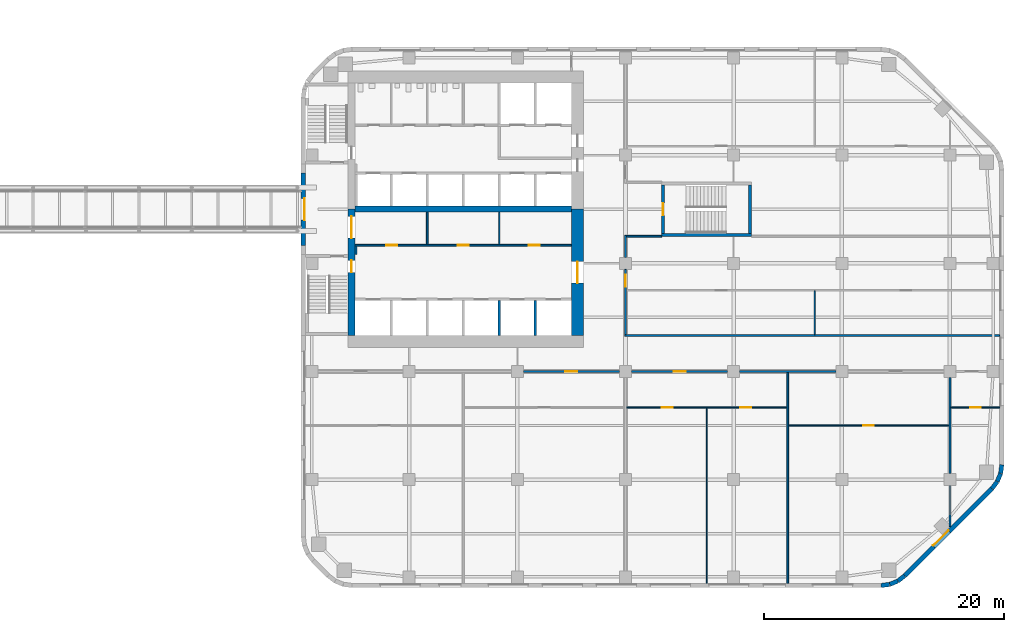
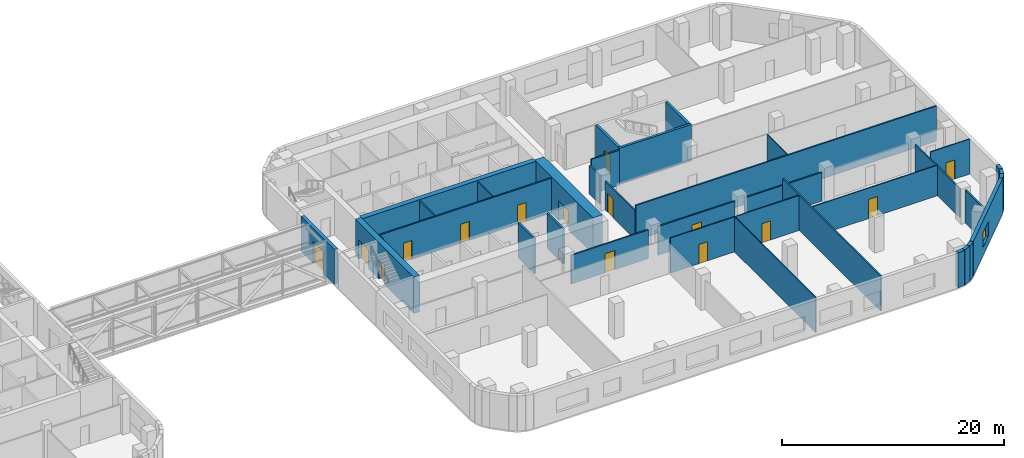
# One storey, part 18 of 24: 35 walls, 15 doors, 1 window, 16 openings.
"""IFC4 building model written with IfcOpenShell, lengths in metres."""

from ifc_helpers import new_model, si_unit, direction, frame, frame_2d, origin, place, context, subcontext, project, spatial, rectangle, extrude, material, layer, layer_set, type_object, element, fill, save


model = new_model("IFC4")

# Units and contexts
model_context = context("Model", 3, precision=1e-05, world=origin(), true_north=direction((0.0, 1.0)))
body_context = subcontext(model_context, "Body", "Model", "MODEL_VIEW")
ifc_project = project(units=[si_unit("LENGTHUNIT", "METRE"), si_unit("AREAUNIT", "SQUARE_METRE"), si_unit("VOLUMEUNIT", "CUBIC_METRE"), si_unit("PLANEANGLEUNIT", "RADIAN"), si_unit("MASSUNIT", "GRAM", prefix="KILO")], contexts=[model_context])

# Site, building, storey
site_placement = place(None, origin())
site = spatial("IfcSite", under=ifc_project, at=site_placement, CompositionType="ELEMENT")
building_placement = place(site_placement, origin())
building = spatial("IfcBuilding", under=site, at=building_placement, Name="Cinnabar Reach Civic Tower", CompositionType="ELEMENT")
storey_placement = place(building_placement, frame((0.0, 0.0, 71.0)))
storey = spatial("IfcBuildingStorey", under=building, at=storey_placement, Name="L16", CompositionType="ELEMENT", Elevation=71.0)

# Walls
ifc_material_1 = material(Name="Facing brick with insulated backing", Category="masonry")
ifc_layer_1 = layer(ifc_material_1, 0.36)
ifc_layer_set_1 = layer_set([ifc_layer_1], Name="Brick corner wall")
wall_type_1 = type_object("IfcWallType", Name="Brick corner wall", PredefinedType="STANDARD", material=ifc_layer_set_1)
for number, where, z_axis, x_axis, name in (
    (1, (48.2686, 0.183, 0.0), (0.0, 0.0, 1.0), (0.99144092581, 0.13055608231, 0.0), "Brick corner wall"),
    (2, (48.9973, 0.2819, 0.0), (0.0, 0.0, 1.0), (0.923871547278, 0.382702709855, 0.0), "Brick corner wall"),
):
    element("IfcWall", number, at=place(storey_placement, frame(where, z_axis=z_axis, x_axis=x_axis)), inside=storey, type_object=wall_type_1, Name=name, PredefinedType="STANDARD", context=body_context, shape_type="SweptSolid", body=[
        extrude(rectangle(XDim=0.7131, YDim=0.36, at=frame_2d((0.3565, 0.0))), origin(), (0.0, 0.0, 1.0), 3.85),
    ])
for number, where, z_axis, x_axis, name in (
    (3, (49.6755, 0.566, 0.0), (0.0, 0.0, 1.0), (0.793321924995, 0.608802368033, 0.0), "Brick corner wall"),
    (4, (57.4998, 8.2587, 0.0), (0.0, 0.0, 1.0), (0.608802368033, 0.793321924995, 0.0), "Brick corner wall"),
):
    element("IfcWall", number, at=place(storey_placement, frame(where, z_axis=z_axis, x_axis=x_axis)), inside=storey, type_object=wall_type_1, Name=name, PredefinedType="STANDARD", context=body_context, shape_type="SweptSolid", body=[
        extrude(rectangle(XDim=0.7132, YDim=0.36, at=frame_2d((0.3566, 0.0))), origin(), (0.0, 0.0, 1.0), 3.85),
    ])
for number, where, z_axis, x_axis, name in (
    (5, (57.9452, 8.8439, 0.0), (0.0, 0.0, 1.0), (0.382702709855, 0.923871547278, 0.0), "Brick corner wall"),
    (6, (58.2239, 9.5244, 0.0), (0.0, 0.0, 1.0), (0.13055608231, 0.99144092581, 0.0), "Brick corner wall"),
):
    element("IfcWall", number, at=place(storey_placement, frame(where, z_axis=z_axis, x_axis=x_axis)), inside=storey, type_object=wall_type_1, Name=name, PredefinedType="STANDARD", context=body_context, shape_type="SweptSolid", body=[
        extrude(rectangle(XDim=0.7131, YDim=0.36, at=frame_2d((0.3565, 0.0))), origin(), (0.0, 0.0, 1.0), 3.85),
    ])

# Wall, opening, window
ifc_layer_2 = layer(ifc_material_1, 0.36)
ifc_layer_set_2 = layer_set([ifc_layer_2], Name="Brick pier and spandrel wall")
wall_type_2 = type_object("IfcWallType", Name="Brick pier and spandrel wall", PredefinedType="STANDARD", material=ifc_layer_set_2)
wall_1_placement = place(storey_placement, frame((50.2514, 1.006, 0.0), z_axis=(0.0, 0.0, 1.0), x_axis=(0.707106781187, 0.707106781187, 0.0)))
wall_1 = element("IfcWall", 7, at=wall_1_placement, inside=storey, type_object=wall_type_2, Name="Brick facade wall", PredefinedType="STANDARD", context=body_context, shape_type="SweptSolid", body=[
    extrude(rectangle(XDim=10.2426, YDim=0.36, at=frame_2d((5.1213, 0.0))), origin(), (0.0, 0.0, 1.0), 3.85),
])
opening_1_placement = place(wall_1_placement, frame((3.4213, 0.0, 0.9)))
opening_1 = element("IfcOpeningElement", 8, at=opening_1_placement, cuts=wall_1, Name="Opening W1303", PredefinedType="OPENING", context=body_context, shape_type="SweptSolid", body=[
    extrude(rectangle(XDim=1.8, YDim=1.6, at=frame_2d((0.9, 0.8))), frame((0.0, 0.19, 0.0), z_axis=(0.0, -1.0, 0.0), x_axis=(1.0, 0.0, 0.0)), (0.0, 0.0, 1.0), 0.38),
])
ifc_material_2 = material(Name="Clear double glazing in aluminium frame", Category="aluminium")
window_type = type_object("IfcWindowType", Name="Deep-set window D", PartitioningType="SINGLE_PANEL", PredefinedType="WINDOW", material=ifc_material_2)
window_placement = place(opening_1_placement, origin())
window = element("IfcWindow", 9, at=window_placement, inside=storey, type_object=window_type, Name="Window southeast face", OverallHeight=1.6, OverallWidth=1.8, PartitioningType="SINGLE_PANEL", PredefinedType="WINDOW", context=body_context, shape_type="SweptSolid", body=[
    extrude(rectangle(XDim=1.8, YDim=1.6, at=frame_2d((0.9, 0.8))), frame((0.0, 0.13, 0.0), z_axis=(0.0, -1.0, 0.0), x_axis=(1.0, 0.0, 0.0)), (0.0, 0.0, 1.0), 0.06),
])
fill(opening_1, window)

# Wall, opening, door
wall_2_placement = place(storey_placement, frame((0.18, 34.5, 0.0), z_axis=(0.0, 0.0, 1.0), x_axis=(0.0, -1.0, 0.0)))
wall_2 = element("IfcWall", 10, at=wall_2_placement, inside=storey, type_object=wall_type_2, Name="Brick facade wall", PredefinedType="STANDARD", context=body_context, shape_type="SweptSolid", body=[
    extrude(rectangle(XDim=6.0, YDim=0.36, at=frame_2d((3.0, 0.0))), origin(), (0.0, 0.0, 1.0), 3.85),
])
opening_2_placement = place(wall_2_placement, frame((2.1, 0.0, 0.0)))
opening_2 = element("IfcOpeningElement", 11, at=opening_2_placement, cuts=wall_2, Name="Opening D7503", PredefinedType="OPENING", context=body_context, shape_type="SweptSolid", body=[
    extrude(rectangle(XDim=1.8, YDim=2.4, at=frame_2d((0.9, 1.2))), frame((0.0, 0.19, 0.0), z_axis=(0.0, -1.0, 0.0), x_axis=(1.0, 0.0, 0.0)), (0.0, 0.0, 1.0), 0.38),
])
ifc_material_3 = material(Name="Steel fire door with glazed vision panel", Category="steel")
door_type_1 = type_object("IfcDoorType", Name="Facade bridge landing fire door", OperationType="SINGLE_SWING_LEFT", PredefinedType="DOOR", material=ifc_material_3)
door_1_placement = place(opening_2_placement, frame((1.8, 0.0, 0.0), z_axis=(0.0, 0.0, 1.0), x_axis=(-1.0, 0.0, 0.0)))
door_1 = element("IfcDoor", 12, at=door_1_placement, inside=storey, type_object=door_type_1, Name="Bridge landing fire door", OperationType="DOUBLE_DOOR_SINGLE_SWING", OverallHeight=2.4, OverallWidth=1.8, PredefinedType="DOOR", context=body_context, shape_type="SweptSolid", body=[
    extrude(rectangle(XDim=1.8, YDim=2.4, at=frame_2d((0.9, 1.2))), frame((0.0, -0.07, 0.0), z_axis=(0.0, -1.0, 0.0), x_axis=(1.0, 0.0, 0.0)), (0.0, 0.0, 1.0), 0.05),
])
fill(opening_2, door_1)

ifc_material_4 = material(Name="Concrete C70", Category="concrete")
ifc_layer_3 = layer(ifc_material_4, 1.0)
ifc_layer_set_3 = layer_set([ifc_layer_3], Name="Core wall 1000 EI 180")
wall_type_3 = type_object("IfcWallType", Name="Core wall 1000 EI 180", PredefinedType="SOLIDWALL", material=ifc_layer_set_3)
wall_3_placement = place(storey_placement, frame((23.0, 21.0, 0.0), z_axis=(0.0, 0.0, 1.0), x_axis=(0.0, 1.0, 0.0)))
wall_3 = element("IfcWall", 13, at=wall_3_placement, inside=storey, type_object=wall_type_3, Name="Core wall T1 L16 E", PredefinedType="SOLIDWALL", context=body_context, shape_type="SweptSolid", body=[
    extrude(rectangle(XDim=10.5, YDim=1.0, at=frame_2d((5.25, 0.0))), origin(), (0.0, 0.0, 1.0), 4.0),
])
opening_3_placement = place(wall_3_placement, frame((4.35, 0.0, 0.0)))
opening_3 = element("IfcOpeningElement", 14, at=opening_3_placement, cuts=wall_3, Name="Opening D3648", PredefinedType="OPENING", context=body_context, shape_type="SweptSolid", body=[
    extrude(rectangle(XDim=1.8, YDim=2.1, at=frame_2d((0.9, 1.05))), frame((0.0, 0.51, 0.0), z_axis=(0.0, -1.0, 0.0), x_axis=(1.0, 0.0, 0.0)), (0.0, 0.0, 1.0), 1.02),
])
ifc_material_5 = material(Name="Timber door leaf in steel frame", Category="steel")
door_type_2 = type_object("IfcDoorType", Name="Double swing door 1800 x 2100 T1", OperationType="DOUBLE_DOOR_DOUBLE_SWING", PredefinedType="DOOR", material=ifc_material_5)
door_2_placement = place(opening_3_placement, origin())
door_2 = element("IfcDoor", 15, at=door_2_placement, inside=storey, type_object=door_type_2, Name="Door D3648", OperationType="DOUBLE_DOOR_DOUBLE_SWING", OverallHeight=2.1, OverallWidth=1.8, PredefinedType="DOOR", context=body_context, shape_type="SweptSolid", body=[
    extrude(rectangle(XDim=1.8, YDim=2.1, at=frame_2d((0.9, 1.05))), frame((0.0, 0.025, 0.0), z_axis=(0.0, -1.0, 0.0), x_axis=(1.0, 0.0, 0.0)), (0.0, 0.0, 1.0), 0.05),
])
fill(opening_3, door_2)

# Wall
ifc_material_6 = material(Name="Concrete C60", Category="concrete")
ifc_layer_4 = layer(ifc_material_6, 0.5)
ifc_layer_set_4 = layer_set([ifc_layer_4], Name="Core wall 500 EI 180")
wall_type_4 = type_object("IfcWallType", Name="Core wall 500 EI 180", PredefinedType="SOLIDWALL", material=ifc_layer_set_4)
wall_4_placement = place(storey_placement, frame((4.5, 31.5, 0.0), z_axis=(0.0, 0.0, 1.0), x_axis=(1.0, 0.0, 0.0)))
element("IfcWall", 16, at=wall_4_placement, inside=storey, type_object=wall_type_4, Name="Core spine wall T1 L16", PredefinedType="SOLIDWALL", context=body_context, shape_type="SweptSolid", body=[
    extrude(rectangle(XDim=18.0, YDim=0.5, at=frame_2d((9.0, 0.0))), origin(), (0.0, 0.0, 1.0), 4.0),
])

# Wall, openings, doors
ifc_layer_5 = layer(ifc_material_4, 0.6)
ifc_layer_set_5 = layer_set([ifc_layer_5], Name="Core wall 600 EI 180")
wall_type_5 = type_object("IfcWallType", Name="Core wall 600 EI 180", PredefinedType="SOLIDWALL", material=ifc_layer_set_5)
wall_5_placement = place(storey_placement, frame((4.2, 31.5, 0.0), z_axis=(0.0, 0.0, 1.0), x_axis=(0.0, -1.0, 0.0)))
wall_5 = element("IfcWall", 17, at=wall_5_placement, inside=storey, type_object=wall_type_5, Name="Core wall T1 L16 W2", PredefinedType="SOLIDWALL", context=body_context, shape_type="SweptSolid", body=[
    extrude(rectangle(XDim=10.5, YDim=0.6, at=frame_2d((5.25, 0.0))), origin(), (0.0, 0.0, 1.0), 4.0),
])
opening_4_placement = place(wall_5_placement, frame((4.25, 0.0, 0.0)))
opening_4 = element("IfcOpeningElement", 18, at=opening_4_placement, cuts=wall_5, Name="Opening D3630", PredefinedType="OPENING", context=body_context, shape_type="SweptSolid", body=[
    extrude(rectangle(XDim=1.0, YDim=2.1, at=frame_2d((0.5, 1.05))), frame((0.0, 0.31, 0.0), z_axis=(0.0, -1.0, 0.0), x_axis=(1.0, 0.0, 0.0)), (0.0, 0.0, 1.0), 0.62),
])
opening_5_placement = place(wall_5_placement, frame((0.6, 0.0, 0.0)))
opening_5 = element("IfcOpeningElement", 19, at=opening_5_placement, cuts=wall_5, Name="Opening D3634", PredefinedType="OPENING", context=body_context, shape_type="SweptSolid", body=[
    extrude(rectangle(XDim=1.8, YDim=2.1, at=frame_2d((0.9, 1.05))), frame((0.0, 0.31, 0.0), z_axis=(0.0, -1.0, 0.0), x_axis=(1.0, 0.0, 0.0)), (0.0, 0.0, 1.0), 0.62),
])
door_type_3 = type_object("IfcDoorType", Name="Bridge fire door 1800 x 2100 T1", OperationType="DOUBLE_DOOR_DOUBLE_SWING", PredefinedType="DOOR", material=ifc_material_5)
door_3_placement = place(opening_5_placement, frame((1.8, 0.0, 0.0), z_axis=(0.0, 0.0, 1.0), x_axis=(-1.0, 0.0, 0.0)))
door_3 = element("IfcDoor", 20, at=door_3_placement, inside=storey, type_object=door_type_3, Name="Door D3634", OperationType="DOUBLE_DOOR_DOUBLE_SWING", OverallHeight=2.1, OverallWidth=1.8, PredefinedType="DOOR", context=body_context, shape_type="SweptSolid", body=[
    extrude(rectangle(XDim=1.8, YDim=2.1, at=frame_2d((0.9, 1.05))), frame((0.0, 0.025, 0.0), z_axis=(0.0, -1.0, 0.0), x_axis=(1.0, 0.0, 0.0)), (0.0, 0.0, 1.0), 0.05),
])
fill(opening_5, door_3)
door_type_4 = type_object("IfcDoorType", Name="Stair door 1000 x 2100 T1", OperationType="SINGLE_SWING_LEFT", PredefinedType="DOOR", material=ifc_material_5)
door_4_placement = place(opening_4_placement, frame((1.0, 0.0, 0.0), z_axis=(0.0, 0.0, 1.0), x_axis=(-1.0, 0.0, 0.0)))
door_4 = element("IfcDoor", 21, at=door_4_placement, inside=storey, type_object=door_type_4, Name="Door D3630", OperationType="SINGLE_SWING_RIGHT", OverallHeight=2.1, OverallWidth=1.0, PredefinedType="DOOR", context=body_context, shape_type="SweptSolid", body=[
    extrude(rectangle(XDim=1.0, YDim=2.1, at=frame_2d((0.5, 1.05))), frame((0.0, 0.025, 0.0), z_axis=(0.0, -1.0, 0.0), x_axis=(1.0, 0.0, 0.0)), (0.0, 0.0, 1.0), 0.05),
])
fill(opening_4, door_4)

# Wall
ifc_material_7 = material(Name="Gypsum board on steel studs, double layer", Category="steel")
ifc_layer_6 = layer(ifc_material_7, 0.15)
ifc_layer_set_6 = layer_set([ifc_layer_6], Name="Corridor wall 150 T1")
wall_type_6 = type_object("IfcWallType", Name="Corridor wall 150 T1", PredefinedType="PARTITIONING", material=ifc_layer_set_6)
wall_6_placement = place(storey_placement, frame((36.5, 18.0, 0.0), z_axis=(0.0, 0.0, 1.0), x_axis=(1.0, 0.0, 0.0)))
element("IfcWall", 22, at=wall_6_placement, inside=storey, type_object=wall_type_6, Name="Corridor wall 21", PredefinedType="PARTITIONING", context=body_context, shape_type="SweptSolid", body=[
    extrude(rectangle(XDim=8.0, YDim=0.15, at=frame_2d((4.0, 0.0))), origin(), (0.0, 0.0, 1.0), 3.15),
])

# Wall, opening, door
wall_7_placement = place(storey_placement, frame((27.5, 18.0, 0.0), z_axis=(0.0, 0.0, 1.0), x_axis=(1.0, 0.0, 0.0)))
wall_7 = element("IfcWall", 23, at=wall_7_placement, inside=storey, type_object=wall_type_6, Name="Corridor wall 22", PredefinedType="PARTITIONING", context=body_context, shape_type="SweptSolid", body=[
    extrude(rectangle(XDim=8.0, YDim=0.15, at=frame_2d((4.0, 0.0))), origin(), (0.0, 0.0, 1.0), 3.15),
])
opening_6_placement = place(wall_7_placement, frame((3.5, 0.0, 0.0)))
opening_6 = element("IfcOpeningElement", 24, at=opening_6_placement, cuts=wall_7, Name="Opening D3668", PredefinedType="OPENING", context=body_context, shape_type="SweptSolid", body=[
    extrude(rectangle(XDim=1.0, YDim=2.1, at=frame_2d((0.5, 1.05))), frame((0.0, 0.085, 0.0), z_axis=(0.0, -1.0, 0.0), x_axis=(1.0, 0.0, 0.0)), (0.0, 0.0, 1.0), 0.17),
])
door_type_5 = type_object("IfcDoorType", Name="Tenancy entrance door 1000 x 2100 T1", OperationType="SINGLE_SWING_LEFT", PredefinedType="DOOR", material=ifc_material_5)
door_5_placement = place(opening_6_placement, frame((1.0, 0.0, 0.0), z_axis=(0.0, 0.0, 1.0), x_axis=(-1.0, 0.0, 0.0)))
door_5 = element("IfcDoor", 25, at=door_5_placement, inside=storey, type_object=door_type_5, Name="Door D3668", OperationType="SINGLE_SWING_RIGHT", OverallHeight=2.1, OverallWidth=1.0, PredefinedType="DOOR", context=body_context, shape_type="SweptSolid", body=[
    extrude(rectangle(XDim=1.0, YDim=2.1, at=frame_2d((0.5, 1.05))), frame((0.0, 0.025, 0.0), z_axis=(0.0, -1.0, 0.0), x_axis=(1.0, 0.0, 0.0)), (0.0, 0.0, 1.0), 0.05),
])
fill(opening_6, door_5)

wall_8_placement = place(storey_placement, frame((18.5, 18.0, 0.0), z_axis=(0.0, 0.0, 1.0), x_axis=(1.0, 0.0, 0.0)))
wall_8 = element("IfcWall", 26, at=wall_8_placement, inside=storey, type_object=wall_type_6, Name="Corridor wall 23", PredefinedType="PARTITIONING", context=body_context, shape_type="SweptSolid", body=[
    extrude(rectangle(XDim=8.0, YDim=0.15, at=frame_2d((4.0, 0.0))), origin(), (0.0, 0.0, 1.0), 3.15),
])
opening_7_placement = place(wall_8_placement, frame((3.5, 0.0, 0.0)))
opening_7 = element("IfcOpeningElement", 27, at=opening_7_placement, cuts=wall_8, Name="Opening D3666", PredefinedType="OPENING", context=body_context, shape_type="SweptSolid", body=[
    extrude(rectangle(XDim=1.0, YDim=2.1, at=frame_2d((0.5, 1.05))), frame((0.0, 0.085, 0.0), z_axis=(0.0, -1.0, 0.0), x_axis=(1.0, 0.0, 0.0)), (0.0, 0.0, 1.0), 0.17),
])
door_6_placement = place(opening_7_placement, frame((1.0, 0.0, 0.0), z_axis=(0.0, 0.0, 1.0), x_axis=(-1.0, 0.0, 0.0)))
door_6 = element("IfcDoor", 28, at=door_6_placement, inside=storey, type_object=door_type_5, Name="Door D3666", OperationType="SINGLE_SWING_RIGHT", OverallHeight=2.1, OverallWidth=1.0, PredefinedType="DOOR", context=body_context, shape_type="SweptSolid", body=[
    extrude(rectangle(XDim=1.0, YDim=2.1, at=frame_2d((0.5, 1.05))), frame((0.0, 0.025, 0.0), z_axis=(0.0, -1.0, 0.0), x_axis=(1.0, 0.0, 0.0)), (0.0, 0.0, 1.0), 0.05),
])
fill(opening_7, door_6)

# Wall
wall_9_placement = place(storey_placement, frame((26.925, 21.0, 0.0), z_axis=(0.0, 0.0, 1.0), x_axis=(1.0, 0.0, 0.0)))
element("IfcWall", 29, at=wall_9_placement, inside=storey, type_object=wall_type_6, Name="Corridor wall 26", PredefinedType="PARTITIONING", context=body_context, shape_type="SweptSolid", body=[
    extrude(rectangle(XDim=31.215, YDim=0.15, at=frame_2d((15.6075, 0.0))), origin(), (0.0, 0.0, 1.0), 3.85),
])

# Wall, openings, doors
wall_10_placement = place(storey_placement, frame((4.5, 28.5, 0.0), z_axis=(0.0, 0.0, 1.0), x_axis=(1.0, 0.0, 0.0)))
wall_10 = element("IfcWall", 30, at=wall_10_placement, inside=storey, type_object=wall_type_6, Name="Corridor wall 27", PredefinedType="PARTITIONING", context=body_context, shape_type="SweptSolid", body=[
    extrude(rectangle(XDim=18.0, YDim=0.15, at=frame_2d((9.0, 0.0))), origin(), (0.0, 0.0, 1.0), 3.85),
])
opening_8_placement = place(wall_10_placement, frame((2.6, 0.0, 0.0)))
opening_8 = element("IfcOpeningElement", 31, at=opening_8_placement, cuts=wall_10, Name="Opening D3635", PredefinedType="OPENING", context=body_context, shape_type="SweptSolid", body=[
    extrude(rectangle(XDim=0.9, YDim=2.1, at=frame_2d((0.45, 1.05))), frame((0.0, 0.085, 0.0), z_axis=(0.0, -1.0, 0.0), x_axis=(1.0, 0.0, 0.0)), (0.0, 0.0, 1.0), 0.17),
])
opening_9_placement = place(wall_10_placement, frame((8.55, 0.0, 0.0)))
opening_9 = element("IfcOpeningElement", 32, at=opening_9_placement, cuts=wall_10, Name="Opening D3652", PredefinedType="OPENING", context=body_context, shape_type="SweptSolid", body=[
    extrude(rectangle(XDim=0.9, YDim=2.1, at=frame_2d((0.45, 1.05))), frame((0.0, 0.085, 0.0), z_axis=(0.0, -1.0, 0.0), x_axis=(1.0, 0.0, 0.0)), (0.0, 0.0, 1.0), 0.17),
])
opening_10_placement = place(wall_10_placement, frame((14.45, 0.0, 0.0)))
opening_10 = element("IfcOpeningElement", 33, at=opening_10_placement, cuts=wall_10, Name="Opening D3653", PredefinedType="OPENING", context=body_context, shape_type="SweptSolid", body=[
    extrude(rectangle(XDim=0.9, YDim=2.1, at=frame_2d((0.45, 1.05))), frame((0.0, 0.085, 0.0), z_axis=(0.0, -1.0, 0.0), x_axis=(1.0, 0.0, 0.0)), (0.0, 0.0, 1.0), 0.17),
])
door_type_6 = type_object("IfcDoorType", Name="Single swing door 900 x 2100 corridor T1", OperationType="SINGLE_SWING_LEFT", PredefinedType="DOOR", material=ifc_material_5)
door_7_placement = place(opening_8_placement, frame((0.9, 0.0, 0.0), z_axis=(0.0, 0.0, 1.0), x_axis=(-1.0, 0.0, 0.0)))
door_7 = element("IfcDoor", 34, at=door_7_placement, inside=storey, type_object=door_type_6, Name="Door D3635", OperationType="SINGLE_SWING_LEFT", OverallHeight=2.1, OverallWidth=0.9, PredefinedType="DOOR", context=body_context, shape_type="SweptSolid", body=[
    extrude(rectangle(XDim=0.9, YDim=2.1, at=frame_2d((0.45, 1.05))), frame((0.0, 0.025, 0.0), z_axis=(0.0, -1.0, 0.0), x_axis=(1.0, 0.0, 0.0)), (0.0, 0.0, 1.0), 0.05),
])
fill(opening_8, door_7)
door_8_placement = place(opening_9_placement, origin())
door_8 = element("IfcDoor", 35, at=door_8_placement, inside=storey, type_object=door_type_6, Name="Door D3652", OperationType="SINGLE_SWING_RIGHT", OverallHeight=2.1, OverallWidth=0.9, PredefinedType="DOOR", context=body_context, shape_type="SweptSolid", body=[
    extrude(rectangle(XDim=0.9, YDim=2.1, at=frame_2d((0.45, 1.05))), frame((0.0, 0.025, 0.0), z_axis=(0.0, -1.0, 0.0), x_axis=(1.0, 0.0, 0.0)), (0.0, 0.0, 1.0), 0.05),
])
fill(opening_9, door_8)
door_9_placement = place(opening_10_placement, origin())
door_9 = element("IfcDoor", 36, at=door_9_placement, inside=storey, type_object=door_type_6, Name="Door D3653", OperationType="SINGLE_SWING_LEFT", OverallHeight=2.1, OverallWidth=0.9, PredefinedType="DOOR", context=body_context, shape_type="SweptSolid", body=[
    extrude(rectangle(XDim=0.9, YDim=2.1, at=frame_2d((0.45, 1.05))), frame((0.0, 0.025, 0.0), z_axis=(0.0, -1.0, 0.0), x_axis=(1.0, 0.0, 0.0)), (0.0, 0.0, 1.0), 0.05),
])
fill(opening_10, door_9)

# Wall, opening, door
wall_11_placement = place(storey_placement, frame((27.0, 21.075, 0.0), z_axis=(0.0, 0.0, 1.0), x_axis=(0.0, 1.0, 0.0)))
wall_11 = element("IfcWall", 37, at=wall_11_placement, inside=storey, type_object=wall_type_6, Name="Corridor wall 31", PredefinedType="PARTITIONING", context=body_context, shape_type="SweptSolid", body=[
    extrude(rectangle(XDim=5.425, YDim=0.15, at=frame_2d((2.7125, 0.0))), origin(), (0.0, 0.0, 1.0), 3.158),
])
opening_11_placement = place(wall_11_placement, frame((3.975, 0.0, 0.0)))
opening_11 = element("IfcOpeningElement", 38, at=opening_11_placement, cuts=wall_11, Name="Opening D3661", PredefinedType="OPENING", context=body_context, shape_type="SweptSolid", body=[
    extrude(rectangle(XDim=1.0, YDim=2.1, at=frame_2d((0.5, 1.05))), frame((0.0, 0.085, 0.0), z_axis=(0.0, -1.0, 0.0), x_axis=(1.0, 0.0, 0.0)), (0.0, 0.0, 1.0), 0.17),
])
door_10_placement = place(opening_11_placement, frame((1.0, 0.0, 0.0), z_axis=(0.0, 0.0, 1.0), x_axis=(-1.0, 0.0, 0.0)))
door_10 = element("IfcDoor", 39, at=door_10_placement, inside=storey, type_object=door_type_5, Name="Door D3661", OperationType="SINGLE_SWING_RIGHT", OverallHeight=2.1, OverallWidth=1.0, PredefinedType="DOOR", context=body_context, shape_type="SweptSolid", body=[
    extrude(rectangle(XDim=1.0, YDim=2.1, at=frame_2d((0.5, 1.05))), frame((0.0, 0.025, 0.0), z_axis=(0.0, -1.0, 0.0), x_axis=(1.0, 0.0, 0.0)), (0.0, 0.0, 1.0), 0.05),
])
fill(opening_11, door_10)

# Walls
wall_12_placement = place(storey_placement, frame((27.0, 27.5, 0.0), z_axis=(0.0, 0.0, 1.0), x_axis=(0.0, 1.0, 0.0)))
element("IfcWall", 40, at=wall_12_placement, inside=storey, type_object=wall_type_6, Name="Corridor wall 32", PredefinedType="PARTITIONING", context=body_context, shape_type="SweptSolid", body=[
    extrude(rectangle(XDim=1.825, YDim=0.15, at=frame_2d((0.9125, 0.0))), origin(), (0.0, 0.0, 1.0), 3.158),
])
wall_13_placement = place(storey_placement, frame((27.075, 29.25, 0.0), z_axis=(0.0, 0.0, 1.0), x_axis=(1.0, 0.0, 0.0)))
element("IfcWall", 41, at=wall_13_placement, inside=storey, type_object=wall_type_6, Name="Corridor wall 33", PredefinedType="PARTITIONING", context=body_context, shape_type="SweptSolid", body=[
    extrude(rectangle(XDim=2.925, YDim=0.15, at=frame_2d((1.4625, 0.0))), origin(), (0.0, 0.0, 1.0), 3.85),
])
wall_14_placement = place(storey_placement, frame((10.5, 28.575, 0.0), z_axis=(0.0, 0.0, 1.0), x_axis=(0.0, 1.0, 0.0)))
element("IfcWall", 42, at=wall_14_placement, inside=storey, type_object=wall_type_6, Name="Corridor wall 35", PredefinedType="PARTITIONING", context=body_context, shape_type="SweptSolid", body=[
    extrude(rectangle(XDim=2.675, YDim=0.15, at=frame_2d((1.3375, 0.0))), origin(), (0.0, 0.0, 1.0), 3.85),
])
wall_15_placement = place(storey_placement, frame((4.575, 27.75, 0.0), z_axis=(0.0, 0.0, 1.0), x_axis=(0.0, 1.0, 0.0)))
element("IfcWall", 43, at=wall_15_placement, inside=storey, type_object=wall_type_6, Name="Corridor wall 37", PredefinedType="PARTITIONING", context=body_context, shape_type="SweptSolid", body=[
    extrude(rectangle(XDim=0.675, YDim=0.15, at=frame_2d((0.3375, 0.0))), origin(), (0.0, 0.0, 1.0), 3.85),
])
ifc_material_8 = material(Name="Blockwork", Category="masonry")
ifc_layer_7 = layer(ifc_material_8, 0.2)
ifc_layer_set_7 = layer_set([ifc_layer_7], Name="Lift shaft wall 200 T1")
wall_type_7 = type_object("IfcWallType", Name="Lift shaft wall 200 T1", PredefinedType="PARTITIONING", material=ifc_layer_set_7)
for number, where, z_axis, x_axis, name in (
    (44, (16.5, 21.0, 0.0), (0.0, 0.0, 1.0), (0.0, 1.0, 0.0), "Lift shaft wall 15"),
    (45, (19.5, 21.0, 0.0), (0.0, 0.0, 1.0), (0.0, 1.0, 0.0), "Lift shaft wall 17"),
):
    element("IfcWall", number, at=place(storey_placement, frame(where, z_axis=z_axis, x_axis=x_axis)), inside=storey, type_object=wall_type_7, Name=name, PredefinedType="PARTITIONING", context=body_context, shape_type="SweptSolid", body=[
        extrude(rectangle(XDim=2.9, YDim=0.2, at=frame_2d((1.45, 0.0))), origin(), (0.0, 0.0, 1.0), 3.85),
    ])

# Wall, openings, doors
ifc_material_9 = material(Name="Gypsum board on steel studs", Category="steel")
ifc_layer_8 = layer(ifc_material_9, 0.1)
ifc_layer_set_8 = layer_set([ifc_layer_8], Name="Partition wall 100 T1")
wall_type_8 = type_object("IfcWallType", Name="Partition wall 100 T1", PredefinedType="PARTITIONING", material=ifc_layer_set_8)
wall_16_placement = place(storey_placement, frame((27.075, 15.0, 0.0), z_axis=(0.0, 0.0, 1.0), x_axis=(1.0, 0.0, 0.0)))
wall_16 = element("IfcWall", 46, at=wall_16_placement, inside=storey, type_object=wall_type_8, Name="Partition wall 50", PredefinedType="PARTITIONING", context=body_context, shape_type="SweptSolid", body=[
    extrude(rectangle(XDim=13.35, YDim=0.1, at=frame_2d((6.675, 0.0))), origin(), (0.0, 0.0, 1.0), 3.85),
])
opening_12_placement = place(wall_16_placement, frame((2.95, 0.0, 0.0)))
opening_12 = element("IfcOpeningElement", 47, at=opening_12_placement, cuts=wall_16, Name="Opening D3669", PredefinedType="OPENING", context=body_context, shape_type="SweptSolid", body=[
    extrude(rectangle(XDim=0.9, YDim=2.1, at=frame_2d((0.45, 1.05))), frame((0.0, 0.06, 0.0), z_axis=(0.0, -1.0, 0.0), x_axis=(1.0, 0.0, 0.0)), (0.0, 0.0, 1.0), 0.12),
])
opening_13_placement = place(wall_16_placement, frame((9.475, 0.0, 0.0)))
opening_13 = element("IfcOpeningElement", 48, at=opening_13_placement, cuts=wall_16, Name="Opening D3670", PredefinedType="OPENING", context=body_context, shape_type="SweptSolid", body=[
    extrude(rectangle(XDim=0.9, YDim=2.1, at=frame_2d((0.45, 1.05))), frame((0.0, 0.06, 0.0), z_axis=(0.0, -1.0, 0.0), x_axis=(1.0, 0.0, 0.0)), (0.0, 0.0, 1.0), 0.12),
])
door_type_7 = type_object("IfcDoorType", Name="Single swing door 900 x 2100 T1", OperationType="SINGLE_SWING_LEFT", PredefinedType="DOOR", material=ifc_material_5)
door_11_placement = place(opening_12_placement, origin())
door_11 = element("IfcDoor", 49, at=door_11_placement, inside=storey, type_object=door_type_7, Name="Door D3669", OperationType="SINGLE_SWING_LEFT", OverallHeight=2.1, OverallWidth=0.9, PredefinedType="DOOR", context=body_context, shape_type="SweptSolid", body=[
    extrude(rectangle(XDim=0.9, YDim=2.1, at=frame_2d((0.45, 1.05))), frame((0.0, 0.025, 0.0), z_axis=(0.0, -1.0, 0.0), x_axis=(1.0, 0.0, 0.0)), (0.0, 0.0, 1.0), 0.05),
])
fill(opening_12, door_11)
door_12_placement = place(opening_13_placement, origin())
door_12 = element("IfcDoor", 50, at=door_12_placement, inside=storey, type_object=door_type_7, Name="Door D3670", OperationType="SINGLE_SWING_LEFT", OverallHeight=2.1, OverallWidth=0.9, PredefinedType="DOOR", context=body_context, shape_type="SweptSolid", body=[
    extrude(rectangle(XDim=0.9, YDim=2.1, at=frame_2d((0.45, 1.05))), frame((0.0, 0.025, 0.0), z_axis=(0.0, -1.0, 0.0), x_axis=(1.0, 0.0, 0.0)), (0.0, 0.0, 1.0), 0.05),
])
fill(opening_13, door_12)

# Wall
wall_17_placement = place(storey_placement, frame((33.75, 0.36, 0.0), z_axis=(0.0, 0.0, 1.0), x_axis=(0.0, 1.0, 0.0)))
element("IfcWall", 51, at=wall_17_placement, inside=storey, type_object=wall_type_8, Name="Partition wall 51", PredefinedType="PARTITIONING", context=body_context, shape_type="SweptSolid", body=[
    extrude(rectangle(XDim=14.59, YDim=0.1, at=frame_2d((7.295, 0.0))), origin(), (0.0, 0.0, 1.0), 3.85),
])

# Wall, opening, door
wall_18_placement = place(storey_placement, frame((40.575, 13.5, 0.0), z_axis=(0.0, 0.0, 1.0), x_axis=(1.0, 0.0, 0.0)))
wall_18 = element("IfcWall", 52, at=wall_18_placement, inside=storey, type_object=wall_type_8, Name="Partition wall 52", PredefinedType="PARTITIONING", context=body_context, shape_type="SweptSolid", body=[
    extrude(rectangle(XDim=13.35, YDim=0.1, at=frame_2d((6.675, 0.0))), origin(), (0.0, 0.0, 1.0), 3.35),
])
opening_14_placement = place(wall_18_placement, frame((6.2, 0.0, 0.0)))
opening_14 = element("IfcOpeningElement", 53, at=opening_14_placement, cuts=wall_18, Name="Opening D3672", PredefinedType="OPENING", context=body_context, shape_type="SweptSolid", body=[
    extrude(rectangle(XDim=0.9, YDim=2.1, at=frame_2d((0.45, 1.05))), frame((0.0, 0.06, 0.0), z_axis=(0.0, -1.0, 0.0), x_axis=(1.0, 0.0, 0.0)), (0.0, 0.0, 1.0), 0.12),
])
door_13_placement = place(opening_14_placement, origin())
door_13 = element("IfcDoor", 54, at=door_13_placement, inside=storey, type_object=door_type_7, Name="Door D3672", OperationType="SINGLE_SWING_LEFT", OverallHeight=2.1, OverallWidth=0.9, PredefinedType="DOOR", context=body_context, shape_type="SweptSolid", body=[
    extrude(rectangle(XDim=0.9, YDim=2.1, at=frame_2d((0.45, 1.05))), frame((0.0, 0.025, 0.0), z_axis=(0.0, -1.0, 0.0), x_axis=(1.0, 0.0, 0.0)), (0.0, 0.0, 1.0), 0.05),
])
fill(opening_14, door_13)

wall_19_placement = place(storey_placement, frame((54.075, 15.0, 0.0), z_axis=(0.0, 0.0, 1.0), x_axis=(1.0, 0.0, 0.0)))
wall_19 = element("IfcWall", 55, at=wall_19_placement, inside=storey, type_object=wall_type_8, Name="Partition wall 55", PredefinedType="PARTITIONING", context=body_context, shape_type="SweptSolid", body=[
    extrude(rectangle(XDim=4.065, YDim=0.1, at=frame_2d((2.0325, 0.0))), origin(), (0.0, 0.0, 1.0), 3.85),
])
opening_15_placement = place(wall_19_placement, frame((1.6, 0.0, 0.0)))
opening_15 = element("IfcOpeningElement", 56, at=opening_15_placement, cuts=wall_19, Name="Opening D3674", PredefinedType="OPENING", context=body_context, shape_type="SweptSolid", body=[
    extrude(rectangle(XDim=0.9, YDim=2.1, at=frame_2d((0.45, 1.05))), frame((0.0, 0.06, 0.0), z_axis=(0.0, -1.0, 0.0), x_axis=(1.0, 0.0, 0.0)), (0.0, 0.0, 1.0), 0.12),
])
door_14_placement = place(opening_15_placement, origin())
door_14 = element("IfcDoor", 57, at=door_14_placement, inside=storey, type_object=door_type_7, Name="Door D3674", OperationType="SINGLE_SWING_RIGHT", OverallHeight=2.1, OverallWidth=0.9, PredefinedType="DOOR", context=body_context, shape_type="SweptSolid", body=[
    extrude(rectangle(XDim=0.9, YDim=2.1, at=frame_2d((0.45, 1.05))), frame((0.0, 0.025, 0.0), z_axis=(0.0, -1.0, 0.0), x_axis=(1.0, 0.0, 0.0)), (0.0, 0.0, 1.0), 0.05),
])
fill(opening_15, door_14)

# Walls
wall_20_placement = place(storey_placement, frame((42.75, 21.075, 0.0), z_axis=(0.0, 0.0, 1.0), x_axis=(0.0, 1.0, 0.0)))
element("IfcWall", 58, at=wall_20_placement, inside=storey, type_object=wall_type_8, Name="Partition wall 56", PredefinedType="PARTITIONING", context=body_context, shape_type="SweptSolid", body=[
    extrude(rectangle(XDim=3.625, YDim=0.1, at=frame_2d((1.8125, 0.0))), origin(), (0.0, 0.0, 1.0), 3.85),
])
wall_21_placement = place(storey_placement, frame((16.5, 28.575, 0.0), z_axis=(0.0, 0.0, 1.0), x_axis=(0.0, 1.0, 0.0)))
element("IfcWall", 59, at=wall_21_placement, inside=storey, type_object=wall_type_8, Name="Partition wall 59", PredefinedType="PARTITIONING", context=body_context, shape_type="SweptSolid", body=[
    extrude(rectangle(XDim=2.675, YDim=0.1, at=frame_2d((1.3375, 0.0))), origin(), (0.0, 0.0, 1.0), 3.85),
])
ifc_layer_9 = layer(ifc_material_6, 0.25)
ifc_layer_set_9 = layer_set([ifc_layer_9], Name="Stair shaft wall 250 EI 120")
wall_type_9 = type_object("IfcWallType", Name="Stair shaft wall 250 EI 120", PredefinedType="SOLIDWALL", material=ifc_layer_set_9)
wall_22_placement = place(storey_placement, frame((30.0, 29.375, 0.0), z_axis=(0.0, 0.0, 1.0), x_axis=(1.0, 0.0, 0.0)))
element("IfcWall", 60, at=wall_22_placement, inside=storey, type_object=wall_type_9, Name="Stair shaft wall T1-S3 L16", PredefinedType="SOLIDWALL", context=body_context, shape_type="SweptSolid", body=[
    extrude(rectangle(XDim=7.5, YDim=0.25, at=frame_2d((3.75, 0.0))), origin(), (0.0, 0.0, 1.0), 4.0),
])
wall_23_placement = place(storey_placement, frame((37.375, 29.5, 0.0), z_axis=(0.0, 0.0, 1.0), x_axis=(0.0, 1.0, 0.0)))
element("IfcWall", 61, at=wall_23_placement, inside=storey, type_object=wall_type_9, Name="Stair shaft wall T1-S3 L16", PredefinedType="SOLIDWALL", context=body_context, shape_type="SweptSolid", body=[
    extrude(rectangle(XDim=4.0, YDim=0.25, at=frame_2d((2.0, 0.0))), origin(), (0.0, 0.0, 1.0), 4.0),
])

# Wall, opening, door
wall_24_placement = place(storey_placement, frame((30.125, 33.5, 0.0), z_axis=(0.0, 0.0, 1.0), x_axis=(0.0, -1.0, 0.0)))
wall_24 = element("IfcWall", 62, at=wall_24_placement, inside=storey, type_object=wall_type_9, Name="Stair shaft wall T1-S3 L16", PredefinedType="SOLIDWALL", context=body_context, shape_type="SweptSolid", body=[
    extrude(rectangle(XDim=4.0, YDim=0.25, at=frame_2d((2.0, 0.0))), origin(), (0.0, 0.0, 1.0), 4.0),
])
opening_16_placement = place(wall_24_placement, frame((1.5, 0.0, 0.0)))
opening_16 = element("IfcOpeningElement", 63, at=opening_16_placement, cuts=wall_24, Name="Opening D3651", PredefinedType="OPENING", context=body_context, shape_type="SweptSolid", body=[
    extrude(rectangle(XDim=1.0, YDim=2.1, at=frame_2d((0.5, 1.05))), frame((0.0, 0.135, 0.0), z_axis=(0.0, -1.0, 0.0), x_axis=(1.0, 0.0, 0.0)), (0.0, 0.0, 1.0), 0.27),
])
door_15_placement = place(opening_16_placement, origin())
door_15 = element("IfcDoor", 64, at=door_15_placement, inside=storey, type_object=door_type_4, Name="Door D3651", OperationType="SINGLE_SWING_LEFT", OverallHeight=2.1, OverallWidth=1.0, PredefinedType="DOOR", context=body_context, shape_type="SweptSolid", body=[
    extrude(rectangle(XDim=1.0, YDim=2.1, at=frame_2d((0.5, 1.05))), frame((0.0, 0.025, 0.0), z_axis=(0.0, -1.0, 0.0), x_axis=(1.0, 0.0, 0.0)), (0.0, 0.0, 1.0), 0.05),
])
fill(opening_16, door_15)

# Walls
ifc_layer_10 = layer(ifc_material_7, 0.15)
ifc_layer_set_10 = layer_set([ifc_layer_10], Name="Tenancy separating wall 150 T1")
wall_type_10 = type_object("IfcWallType", Name="Tenancy separating wall 150 T1", PredefinedType="PARTITIONING", material=ifc_layer_set_10)
wall_25_placement = place(storey_placement, frame((40.5, 0.36, 0.0), z_axis=(0.0, 0.0, 1.0), x_axis=(0.0, 1.0, 0.0)))
element("IfcWall", 65, at=wall_25_placement, inside=storey, type_object=wall_type_10, Name="Tenancy separating wall 44", PredefinedType="PARTITIONING", context=body_context, shape_type="SweptSolid", body=[
    extrude(rectangle(XDim=17.565, YDim=0.15, at=frame_2d((8.7825, 0.0))), origin(), (0.0, 0.0, 1.0), 3.85),
])
wall_26_placement = place(storey_placement, frame((54.0, 5.084, 0.0), z_axis=(0.0, 0.0, 1.0), x_axis=(0.0, 1.0, 0.0)))
element("IfcWall", 66, at=wall_26_placement, inside=storey, type_object=wall_type_10, Name="Tenancy separating wall 45", PredefinedType="PARTITIONING", context=body_context, shape_type="SweptSolid", body=[
    extrude(rectangle(XDim=3.416, YDim=0.15, at=frame_2d((1.708, 0.0))), origin(), (0.0, 0.0, 1.0), 3.652),
])
wall_27_placement = place(storey_placement, frame((54.0, 9.5, 0.0), z_axis=(0.0, 0.0, 1.0), x_axis=(0.0, 1.0, 0.0)))
element("IfcWall", 67, at=wall_27_placement, inside=storey, type_object=wall_type_10, Name="Tenancy separating wall 46", PredefinedType="PARTITIONING", context=body_context, shape_type="SweptSolid", body=[
    extrude(rectangle(XDim=8.0, YDim=0.15, at=frame_2d((4.0, 0.0))), origin(), (0.0, 0.0, 1.0), 3.158),
])

save(model, "model.ifc")
